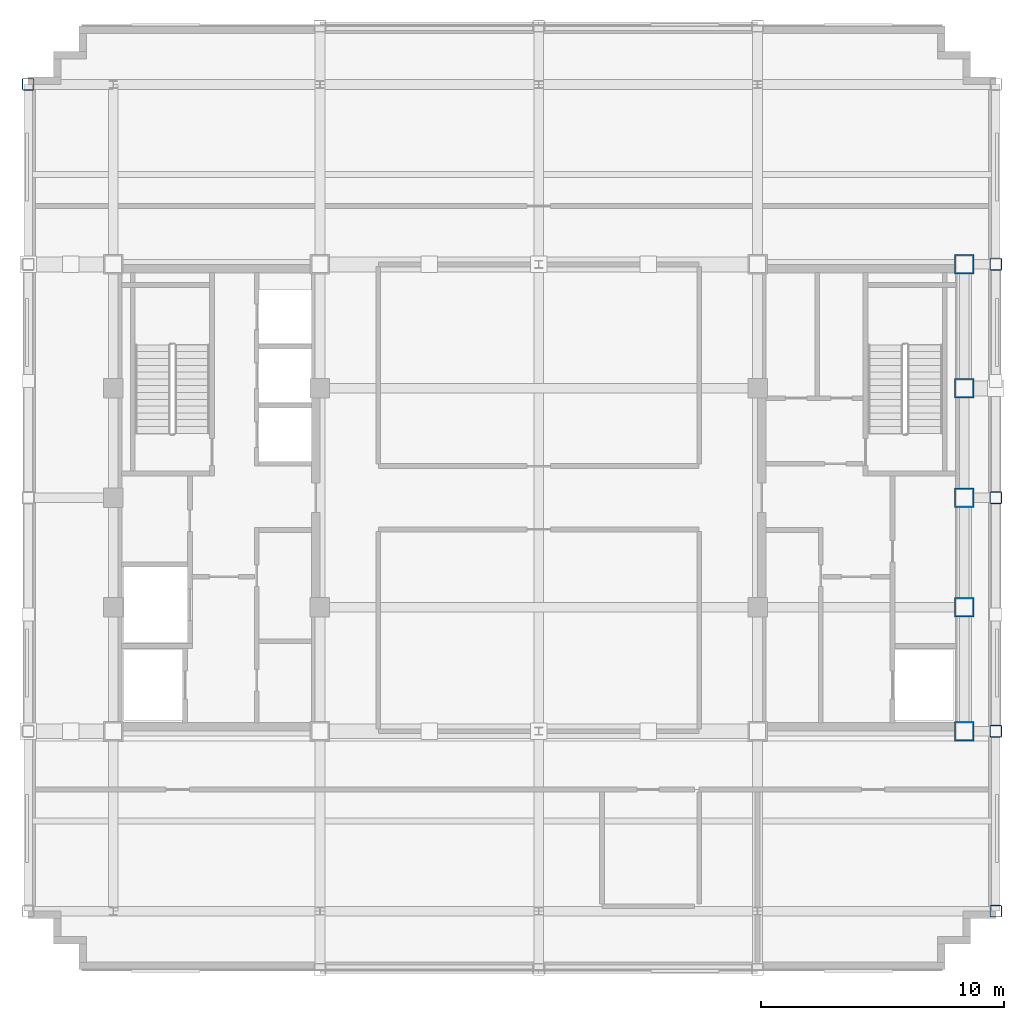
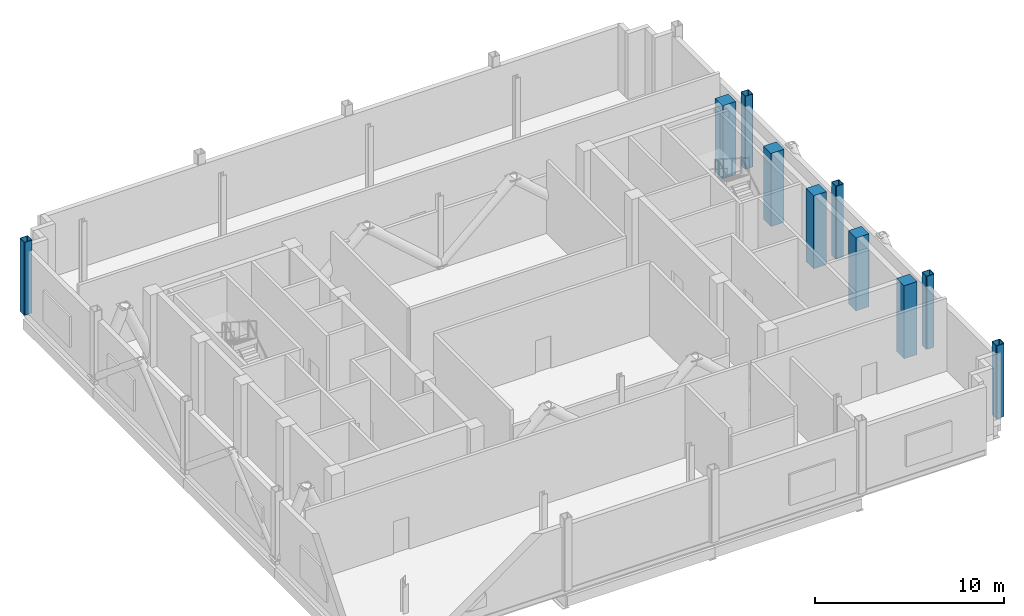
# One storey, part 2 of 12: 10 columns.
"""IFC4 building model written with IfcOpenShell, lengths in metres."""

from ifc_helpers import new_model, si_unit, direction, frame, origin, origin_2d, place, context, subcontext, project, spatial, rectangle, hollow_rectangle, extrude, material, material_profile, profile_set, type_object, element, save


model = new_model("IFC4")

# Units and contexts
model_context = context("Model", 3, precision=1e-05, world=origin(), true_north=direction((0.0, 1.0)))
body_context = subcontext(model_context, "Body", "Model", "MODEL_VIEW")
ifc_project = project(units=[si_unit("LENGTHUNIT", "METRE"), si_unit("AREAUNIT", "SQUARE_METRE"), si_unit("VOLUMEUNIT", "CUBIC_METRE"), si_unit("PLANEANGLEUNIT", "RADIAN"), si_unit("MASSUNIT", "GRAM", prefix="KILO")], contexts=[model_context])

# Site, building, storey
site_placement = place(None, origin())
site = spatial("IfcSite", under=ifc_project, at=site_placement, CompositionType="ELEMENT")
building_placement = place(site_placement, origin())
building = spatial("IfcBuilding", under=site, at=building_placement, Name="Nuvemarco Arch Tower", CompositionType="ELEMENT")
storey_placement = place(building_placement, frame((0.0, 0.0, 252.949951171875)))
storey = spatial("IfcBuildingStorey", under=building, at=storey_placement, Name="L67", CompositionType="ELEMENT", Elevation=252.949951171875)

# Columns
ifc_material_1 = material(Name="Concrete C50/60", Category="concrete")
ifc_material_profile_1 = material_profile(ifc_material_1, rectangle(XDim=0.800048828125, YDim=0.800048828125, at=origin_2d()), Name="RC-COL-800x800")
ifc_profile_set_1 = profile_set([ifc_material_profile_1], Name="Concrete C50/60")
column_type_1 = type_object("IfcColumnType", Name="COL-CORE-800", PredefinedType="COLUMN", material=ifc_profile_set_1)
for number, where, z_axis, x_axis, name in (
    (1, (17.5, -9.60009765625, 0.0), (0.0, 0.0, 1.0), (1.0, 0.0, 0.0), "L67 column CC_+17.5_-9.6"),
    (2, (17.5, -4.5, 0.0), (0.0, 0.0, 1.0), (1.0, 0.0, 0.0), "L67 column CC_+17.5_-4.5"),
    (3, (17.5, 4.5, 0.0), (0.0, 0.0, 1.0), (1.0, 0.0, 0.0), "L67 column CC_+17.5_+4.5"),
    (4, (17.5, 9.60009765625, 0.0), (0.0, 0.0, 1.0), (1.0, 0.0, 0.0), "L67 column CC_+17.5_+9.6"),
    (5, (17.5, 0.0, 0.0), (0.0, 0.0, 1.0), (1.0, 0.0, 0.0), "L67 column CC_+17.5_+0.0"),
):
    element("IfcColumn", number, at=place(storey_placement, frame(where, z_axis=z_axis, x_axis=x_axis)), inside=storey, type_object=column_type_1, Name=name, PredefinedType="COLUMN", context=body_context, shape_type="SweptSolid", body=[
        extrude(rectangle(XDim=0.800048828125, YDim=0.800048828125, at=origin_2d()), origin(), (0.0, 0.0, 1.0), 4.719970703125),
    ])
ifc_material_2 = material(Name="Steel S355", Category="steel")
ifc_material_profile_2 = material_profile(ifc_material_2, hollow_rectangle(XDim=0.5, YDim=0.5, WallThickness=0.031982421875, InnerFilletRadius=0.031982421875, OuterFilletRadius=0.06396484375, at=origin_2d()), Name="SHS500x500x32")
ifc_profile_set_2 = profile_set([ifc_material_profile_2], Name="Steel S355")
column_type_2 = type_object("IfcColumnType", Name="COL-EXO-500", PredefinedType="COLUMN", material=ifc_profile_set_2)
for number, where, z_axis, x_axis, name in (
    (6, (-21.0, 17.0, 0.0), (0.0, 0.0, 1.0), (1.0, 0.0, 0.0), "L67 column CX_-21.0_+17.0"),
    (7, (18.800048828125, -17.0, 0.0), (0.0, 0.0, 1.0), (1.0, 0.0, 0.0), "L67 column CX_+18.8_-17.0"),
    (8, (18.800048828125, -9.60009765625, 0.0), (0.0, 0.0, 1.0), (1.0, 0.0, 0.0), "L67 column CX_+18.8_-9.6"),
    (9, (18.800048828125, 0.0, 0.0), (0.0, 0.0, 1.0), (1.0, 0.0, 0.0), "L67 column CX_+18.8_+0.0"),
    (10, (18.800048828125, 9.60009765625, 0.0), (0.0, 0.0, 1.0), (1.0, 0.0, 0.0), "L67 column CX_+18.8_+9.6"),
):
    element("IfcColumn", number, at=place(storey_placement, frame(where, z_axis=z_axis, x_axis=x_axis)), inside=storey, type_object=column_type_2, Name=name, PredefinedType="COLUMN", context=body_context, shape_type="SweptSolid", body=[
        extrude(hollow_rectangle(XDim=0.5, YDim=0.5, WallThickness=0.031982421875, InnerFilletRadius=0.031982421875, OuterFilletRadius=0.06396484375, at=origin_2d()), origin(), (0.0, 0.0, 1.0), 4.719970703125),
    ])

save(model, "model.ifc")
